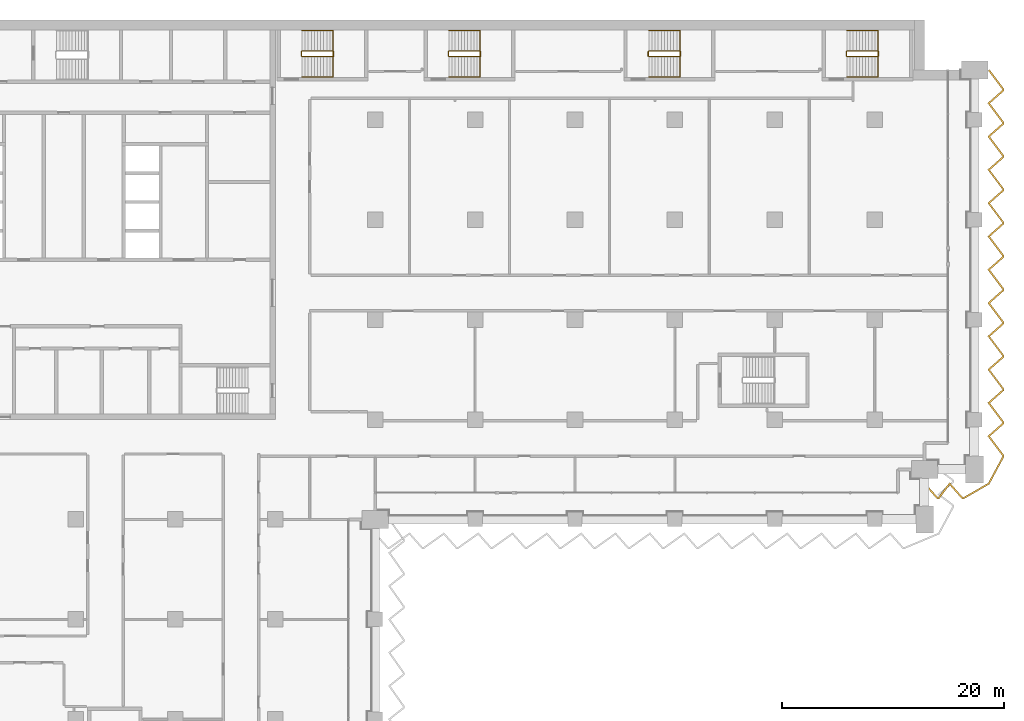
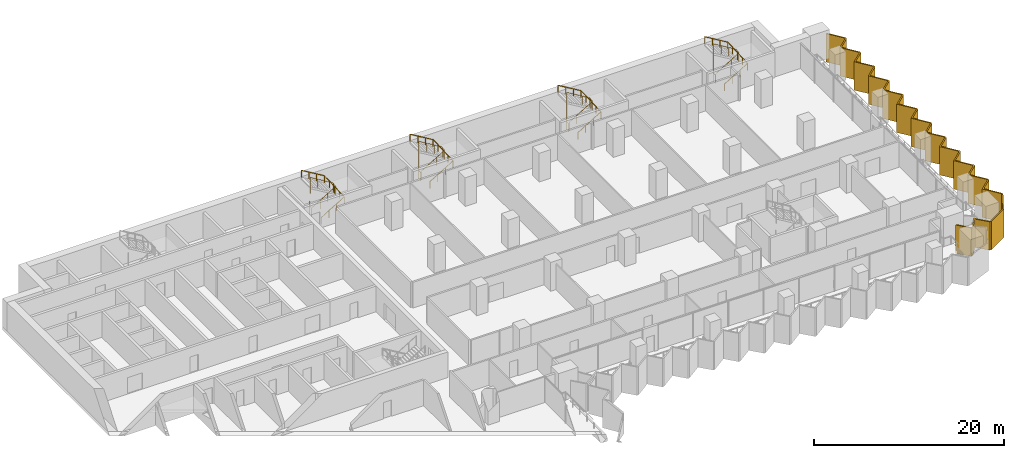
# One storey, part 28 of 29: 8 railings, 1 shading device.
"""IFC4 building model written with IfcOpenShell, lengths in metres."""

from ifc_helpers import new_model, si_unit, direction, frame, origin, origin_2d, place, context, subcontext, project, spatial, polyline, circle, outline, extrude, material, layer, layer_set, type_object, element, save


model = new_model("IFC4")

# Units and contexts
model_context = context("Model", 3, precision=1e-05, world=origin(), true_north=direction((0.0, 1.0)))
body_context = subcontext(model_context, "Body", "Model", "MODEL_VIEW")
ifc_project = project(units=[si_unit("LENGTHUNIT", "METRE"), si_unit("AREAUNIT", "SQUARE_METRE"), si_unit("VOLUMEUNIT", "CUBIC_METRE"), si_unit("PLANEANGLEUNIT", "RADIAN"), si_unit("MASSUNIT", "GRAM", prefix="KILO")], contexts=[model_context])

# Site, building, storey
site_placement = place(None, origin())
site = spatial("IfcSite", under=ifc_project, at=site_placement, CompositionType="ELEMENT")
building_placement = place(site_placement, origin())
building = spatial("IfcBuilding", under=site, at=building_placement, Name="Hunhe Ridgeline Campus", CompositionType="ELEMENT")
storey_placement = place(building_placement, frame((0.0, 0.0, 50.60009765625)))
storey = spatial("IfcBuildingStorey", under=building, at=storey_placement, Name="L11", CompositionType="ELEMENT", Elevation=50.60009765625)

# Shading device
ifc_material_1 = material(Name="Concrete C50", Category="concrete")
ifc_layer = layer(ifc_material_1, 0.14990234375)
ifc_layer_set = layer_set([ifc_layer], Name="Sawtooth concrete fin 150 Concrete C50")
shading_device_type = type_object("IfcShadingDeviceType", Name="Sawtooth concrete fin 150 Concrete C50", PredefinedType="USERDEFINED", material=ifc_layer_set)
shading_device_placement = place(storey_placement, frame((0.0, 0.0, -0.9501953125)))
element("IfcShadingDevice", 1, at=shading_device_placement, inside=storey, type_object=shading_device_type, Name="Concrete fin screen 3", ObjectType="FIN", PredefinedType="USERDEFINED", context=body_context, shape_type="SweptSolid", body=[
    extrude(outline(polyline([(94.55615234375, 57.274658203125), (94.44384765625, 57.17529296875), (95.61328125, 55.85009765625), (95.804443359375, 55.85009765625), (96.75439453125, 57.1064453125), (97.86328125, 55.85009765625), (98.037109375, 55.85009765625), (100.3310546875, 57.170654296875), (101.64990234375, 59.628173828125), (101.64990234375, 59.792236328125), (100.37646484375, 61.489501953125), (101.64990234375, 62.61328125), (101.64990234375, 62.792236328125), (100.37646484375, 64.489501953125), (101.64990234375, 65.61328125), (101.64990234375, 65.792236328125), (100.37646484375, 67.489501953125), (101.64990234375, 68.61328125), (101.64990234375, 68.792236328125), (100.37646484375, 70.489501953125), (101.64990234375, 71.61328125), (101.64990234375, 71.792236328125), (100.37646484375, 73.489501953125), (101.64990234375, 74.61328125), (101.64990234375, 74.792236328125), (100.37646484375, 76.489501953125), (101.64990234375, 77.61328125), (101.64990234375, 77.792236328125), (100.37646484375, 79.489501953125), (101.64990234375, 80.61328125), (101.64990234375, 80.792236328125), (100.37646484375, 82.489501953125), (101.64990234375, 83.61328125), (101.64990234375, 83.792236328125), (100.37646484375, 85.489501953125), (101.64990234375, 86.61328125), (101.64990234375, 86.792236328125), (100.37646484375, 88.489501953125), (101.64990234375, 89.61328125), (101.64990234375, 89.792236328125), (100.37646484375, 91.489501953125), (101.64990234375, 92.61328125), (101.64990234375, 92.792236328125), (100.3349609375, 94.544921875), (100.215087890625, 94.455078125), (101.5, 92.7421875), (101.5, 92.680908203125), (100.17333984375, 91.510498046875), (101.5, 89.7421875), (101.5, 89.680908203125), (100.17333984375, 88.510498046875), (101.5, 86.7421875), (101.5, 86.680908203125), (100.17333984375, 85.510498046875), (101.5, 83.7421875), (101.5, 83.680908203125), (100.17333984375, 82.510498046875), (101.5, 80.7421875), (101.5, 80.680908203125), (100.17333984375, 79.510498046875), (101.5, 77.7421875), (101.5, 77.680908203125), (100.17333984375, 76.510498046875), (101.5, 74.7421875), (101.5, 74.680908203125), (100.17333984375, 73.510498046875), (101.5, 71.7421875), (101.5, 71.680908203125), (100.17333984375, 70.510498046875), (101.5, 68.7421875), (101.5, 68.680908203125), (100.17333984375, 67.510498046875), (101.5, 65.7421875), (101.5, 65.680908203125), (100.17333984375, 64.510498046875), (101.5, 62.7421875), (101.5, 62.680908203125), (100.17333984375, 61.510498046875), (101.5, 59.7421875), (101.5, 59.666015625), (100.218994140625, 57.279296875), (97.9970703125, 56.0), (97.930908203125, 56.0), (96.74560546875, 57.343505859375), (95.729736328125, 56.0), (95.680908203125, 56.0), (94.55615234375, 57.274658203125)])), origin(), (0.0, 0.0, 1.0), 3.650146484375),
])

# Railings
ifc_material_2 = material(Name="Stainless steel balustrade", Category="steel")
railing_type_1 = type_object("IfcRailingType", Name="Stair guard 1100 stainless", PredefinedType="GUARDRAIL", material=ifc_material_2)
railing_1_placement = place(storey_placement, frame((38.39990234375, 95.699951171875, 0.16796875)))
element("IfcRailing", 2, at=railing_1_placement, inside=storey, type_object=railing_type_1, Name="L11 stair E1 guard", PredefinedType="GUARDRAIL", context=body_context, shape_type="SweptSolid", body=[
    extrude(circle(Radius=0.02392578125, at=origin_2d()), frame((0.0, 0.0, 1.076171875), z_axis=(0.857242210791, 0.0, 0.514913383045), x_axis=(0.0, 1.0, 0.0)), (0.0, 0.0, 1.0), 3.266357421875),
    extrude(circle(Radius=0.02392578125, at=origin_2d()), frame((2.800048828125, 0.0, 2.7578125), z_axis=(0.707106781187, 0.707106781187, 0.0), x_axis=(-0.707106781187, 0.707106781187, 0.0)), (0.0, 0.0, 1.0), 0.07080078125),
    extrude(circle(Radius=0.02392578125, at=origin_2d()), frame((2.85009765625, 0.050048828125, 2.7578125), z_axis=(0.0, 1.0, 0.0), x_axis=(-1.0, 0.0, 0.0)), (0.0, 0.0, 1.0), 0.39990234375),
    extrude(circle(Radius=0.02392578125, at=origin_2d()), frame((2.85009765625, 0.449951171875, 2.7578125), z_axis=(-0.274243871929, 0.274243871929, 0.92172696468), x_axis=(-0.707106781187, -0.707106781187, 0.0)), (0.0, 0.0, 1.0), 0.1826171875),
    extrude(circle(Radius=0.02392578125, at=origin_2d()), frame((2.800048828125, 0.5, 2.92626953125), z_axis=(-0.857242210791, 0.0, 0.514913383045), x_axis=(0.0, -1.0, 0.0)), (0.0, 0.0, 1.0), 3.266357421875),
    extrude(circle(Radius=0.02392578125, at=origin_2d()), frame((0.0, 0.5, 4.60791015625), z_axis=(-0.013458453615, -0.013524426427, -0.999817963389), x_axis=(0.708833529934, -0.705375805398, 0.0)), (0.0, 0.0, 1.0), 3.70068359375),
    extrude(circle(Radius=0.02392578125, at=origin_2d()), frame((-0.0498046875, 0.449951171875, 0.908203125), z_axis=(0.0, -1.0, 0.0), x_axis=(1.0, 0.0, 0.0)), (0.0, 0.0, 1.0), 0.39990234375),
    extrude(circle(Radius=0.02099609375, at=origin_2d()), origin(), (0.0, 0.0, 1.0), 1.052001953125),
    extrude(circle(Radius=0.02099609375, at=origin_2d()), frame((0.933349609375, 0.0, 0.560546875)), (0.0, 0.0, 1.0), 1.052001953125),
    extrude(circle(Radius=0.02099609375, at=origin_2d()), frame((1.86669921875, 0.0, 1.121337890625)), (0.0, 0.0, 1.0), 1.052001953125),
    extrude(circle(Radius=0.02099609375, at=origin_2d()), frame((2.800048828125, 0.0, 1.681884765625)), (0.0, 0.0, 1.0), 1.052001953125),
    extrude(circle(Radius=0.02099609375, at=origin_2d()), frame((2.85009765625, 0.050048828125, 1.681884765625)), (0.0, 0.0, 1.0), 1.052001953125),
    extrude(circle(Radius=0.02099609375, at=origin_2d()), frame((2.85009765625, 0.449951171875, 1.681884765625)), (0.0, 0.0, 1.0), 1.052001953125),
    extrude(circle(Radius=0.02099609375, at=origin_2d()), frame((2.800048828125, 0.5, 1.85009765625)), (0.0, 0.0, 1.0), 1.052001953125),
    extrude(circle(Radius=0.02099609375, at=origin_2d()), frame((1.86669921875, 0.5, 2.41064453125)), (0.0, 0.0, 1.0), 1.052001953125),
    extrude(circle(Radius=0.02099609375, at=origin_2d()), frame((0.933349609375, 0.5, 2.971435546875)), (0.0, 0.0, 1.0), 1.052001953125),
    extrude(circle(Radius=0.02099609375, at=origin_2d()), frame((0.0, 0.5, 3.531982421875)), (0.0, 0.0, 1.0), 1.052001953125),
    extrude(circle(Radius=0.02099609375, at=origin_2d()), frame((-0.012451171875, 0.487548828125, 2.60693359375)), (0.0, 0.0, 1.0), 1.052001953125),
    extrude(circle(Radius=0.02099609375, at=origin_2d()), frame((-0.02490234375, 0.47509765625, 1.68212890625)), (0.0, 0.0, 1.0), 1.052001953125),
    extrude(circle(Radius=0.02099609375, at=origin_2d()), frame((-0.037353515625, 0.46240234375, 0.757080078125)), (0.0, 0.0, 1.0), 1.052001953125),
    extrude(circle(Radius=0.02099609375, at=origin_2d()), frame((-0.0498046875, 0.449951171875, -0.16796875)), (0.0, 0.0, 1.0), 1.052001953125),
    extrude(circle(Radius=0.02099609375, at=origin_2d()), frame((-0.0498046875, 0.050048828125, -0.16796875)), (0.0, 0.0, 1.0), 1.052001953125),
])
railing_2_placement = place(storey_placement, frame((51.64990234375, 95.699951171875, 0.16796875)))
element("IfcRailing", 3, at=railing_2_placement, inside=storey, type_object=railing_type_1, Name="L11 stair E2 guard", PredefinedType="GUARDRAIL", context=body_context, shape_type="SweptSolid", body=[
    extrude(circle(Radius=0.02392578125, at=origin_2d()), frame((0.0, 0.0, 1.076171875), z_axis=(0.857242210791, 0.0, 0.514913383045), x_axis=(0.0, 1.0, 0.0)), (0.0, 0.0, 1.0), 3.266357421875),
    extrude(circle(Radius=0.02392578125, at=origin_2d()), frame((2.800048828125, 0.0, 2.7578125), z_axis=(0.707106781187, 0.707106781187, 0.0), x_axis=(-0.707106781187, 0.707106781187, 0.0)), (0.0, 0.0, 1.0), 0.07080078125),
    extrude(circle(Radius=0.02392578125, at=origin_2d()), frame((2.85009765625, 0.050048828125, 2.7578125), z_axis=(0.0, 1.0, 0.0), x_axis=(-1.0, 0.0, 0.0)), (0.0, 0.0, 1.0), 0.39990234375),
    extrude(circle(Radius=0.02392578125, at=origin_2d()), frame((2.85009765625, 0.449951171875, 2.7578125), z_axis=(-0.274243871929, 0.274243871929, 0.92172696468), x_axis=(-0.707106781187, -0.707106781187, 0.0)), (0.0, 0.0, 1.0), 0.1826171875),
    extrude(circle(Radius=0.02392578125, at=origin_2d()), frame((2.800048828125, 0.5, 2.92626953125), z_axis=(-0.857242210791, 0.0, 0.514913383045), x_axis=(0.0, -1.0, 0.0)), (0.0, 0.0, 1.0), 3.266357421875),
    extrude(circle(Radius=0.02392578125, at=origin_2d()), frame((0.0, 0.5, 4.60791015625), z_axis=(-0.013458453615, -0.013524426427, -0.999817963389), x_axis=(0.708833529934, -0.705375805398, 0.0)), (0.0, 0.0, 1.0), 3.70068359375),
    extrude(circle(Radius=0.02392578125, at=origin_2d()), frame((-0.0498046875, 0.449951171875, 0.908203125), z_axis=(0.0, -1.0, 0.0), x_axis=(1.0, 0.0, 0.0)), (0.0, 0.0, 1.0), 0.39990234375),
    extrude(circle(Radius=0.02099609375, at=origin_2d()), origin(), (0.0, 0.0, 1.0), 1.052001953125),
    extrude(circle(Radius=0.02099609375, at=origin_2d()), frame((0.933349609375, 0.0, 0.560546875)), (0.0, 0.0, 1.0), 1.052001953125),
    extrude(circle(Radius=0.02099609375, at=origin_2d()), frame((1.86669921875, 0.0, 1.121337890625)), (0.0, 0.0, 1.0), 1.052001953125),
    extrude(circle(Radius=0.02099609375, at=origin_2d()), frame((2.800048828125, 0.0, 1.681884765625)), (0.0, 0.0, 1.0), 1.052001953125),
    extrude(circle(Radius=0.02099609375, at=origin_2d()), frame((2.85009765625, 0.050048828125, 1.681884765625)), (0.0, 0.0, 1.0), 1.052001953125),
    extrude(circle(Radius=0.02099609375, at=origin_2d()), frame((2.85009765625, 0.449951171875, 1.681884765625)), (0.0, 0.0, 1.0), 1.052001953125),
    extrude(circle(Radius=0.02099609375, at=origin_2d()), frame((2.800048828125, 0.5, 1.85009765625)), (0.0, 0.0, 1.0), 1.052001953125),
    extrude(circle(Radius=0.02099609375, at=origin_2d()), frame((1.86669921875, 0.5, 2.41064453125)), (0.0, 0.0, 1.0), 1.052001953125),
    extrude(circle(Radius=0.02099609375, at=origin_2d()), frame((0.933349609375, 0.5, 2.971435546875)), (0.0, 0.0, 1.0), 1.052001953125),
    extrude(circle(Radius=0.02099609375, at=origin_2d()), frame((0.0, 0.5, 3.531982421875)), (0.0, 0.0, 1.0), 1.052001953125),
    extrude(circle(Radius=0.02099609375, at=origin_2d()), frame((-0.012451171875, 0.487548828125, 2.60693359375)), (0.0, 0.0, 1.0), 1.052001953125),
    extrude(circle(Radius=0.02099609375, at=origin_2d()), frame((-0.02490234375, 0.47509765625, 1.68212890625)), (0.0, 0.0, 1.0), 1.052001953125),
    extrude(circle(Radius=0.02099609375, at=origin_2d()), frame((-0.037353515625, 0.46240234375, 0.757080078125)), (0.0, 0.0, 1.0), 1.052001953125),
    extrude(circle(Radius=0.02099609375, at=origin_2d()), frame((-0.0498046875, 0.449951171875, -0.16796875)), (0.0, 0.0, 1.0), 1.052001953125),
    extrude(circle(Radius=0.02099609375, at=origin_2d()), frame((-0.0498046875, 0.050048828125, -0.16796875)), (0.0, 0.0, 1.0), 1.052001953125),
])
railing_3_placement = place(storey_placement, frame((69.64990234375, 95.699951171875, 0.16796875)))
element("IfcRailing", 4, at=railing_3_placement, inside=storey, type_object=railing_type_1, Name="L11 stair E3 guard", PredefinedType="GUARDRAIL", context=body_context, shape_type="SweptSolid", body=[
    extrude(circle(Radius=0.02392578125, at=origin_2d()), frame((0.0, 0.0, 1.076171875), z_axis=(0.857242210791, 0.0, 0.514913383045), x_axis=(0.0, 1.0, 0.0)), (0.0, 0.0, 1.0), 3.266357421875),
    extrude(circle(Radius=0.02392578125, at=origin_2d()), frame((2.800048828125, 0.0, 2.7578125), z_axis=(0.707106781187, 0.707106781187, 0.0), x_axis=(-0.707106781187, 0.707106781187, 0.0)), (0.0, 0.0, 1.0), 0.07080078125),
    extrude(circle(Radius=0.02392578125, at=origin_2d()), frame((2.85009765625, 0.050048828125, 2.7578125), z_axis=(0.0, 1.0, 0.0), x_axis=(-1.0, 0.0, 0.0)), (0.0, 0.0, 1.0), 0.39990234375),
    extrude(circle(Radius=0.02392578125, at=origin_2d()), frame((2.85009765625, 0.449951171875, 2.7578125), z_axis=(-0.274243871929, 0.274243871929, 0.92172696468), x_axis=(-0.707106781187, -0.707106781187, 0.0)), (0.0, 0.0, 1.0), 0.1826171875),
    extrude(circle(Radius=0.02392578125, at=origin_2d()), frame((2.800048828125, 0.5, 2.92626953125), z_axis=(-0.857242210791, 0.0, 0.514913383045), x_axis=(0.0, -1.0, 0.0)), (0.0, 0.0, 1.0), 3.266357421875),
    extrude(circle(Radius=0.02392578125, at=origin_2d()), frame((0.0, 0.5, 4.60791015625), z_axis=(-0.013458453615, -0.013524426427, -0.999817963389), x_axis=(0.708833529934, -0.705375805398, 0.0)), (0.0, 0.0, 1.0), 3.70068359375),
    extrude(circle(Radius=0.02392578125, at=origin_2d()), frame((-0.0498046875, 0.449951171875, 0.908203125), z_axis=(0.0, -1.0, 0.0), x_axis=(1.0, 0.0, 0.0)), (0.0, 0.0, 1.0), 0.39990234375),
    extrude(circle(Radius=0.02099609375, at=origin_2d()), origin(), (0.0, 0.0, 1.0), 1.052001953125),
    extrude(circle(Radius=0.02099609375, at=origin_2d()), frame((0.933349609375, 0.0, 0.560546875)), (0.0, 0.0, 1.0), 1.052001953125),
    extrude(circle(Radius=0.02099609375, at=origin_2d()), frame((1.86669921875, 0.0, 1.121337890625)), (0.0, 0.0, 1.0), 1.052001953125),
    extrude(circle(Radius=0.02099609375, at=origin_2d()), frame((2.800048828125, 0.0, 1.681884765625)), (0.0, 0.0, 1.0), 1.052001953125),
    extrude(circle(Radius=0.02099609375, at=origin_2d()), frame((2.85009765625, 0.050048828125, 1.681884765625)), (0.0, 0.0, 1.0), 1.052001953125),
    extrude(circle(Radius=0.02099609375, at=origin_2d()), frame((2.85009765625, 0.449951171875, 1.681884765625)), (0.0, 0.0, 1.0), 1.052001953125),
    extrude(circle(Radius=0.02099609375, at=origin_2d()), frame((2.800048828125, 0.5, 1.85009765625)), (0.0, 0.0, 1.0), 1.052001953125),
    extrude(circle(Radius=0.02099609375, at=origin_2d()), frame((1.86669921875, 0.5, 2.41064453125)), (0.0, 0.0, 1.0), 1.052001953125),
    extrude(circle(Radius=0.02099609375, at=origin_2d()), frame((0.933349609375, 0.5, 2.971435546875)), (0.0, 0.0, 1.0), 1.052001953125),
    extrude(circle(Radius=0.02099609375, at=origin_2d()), frame((0.0, 0.5, 3.531982421875)), (0.0, 0.0, 1.0), 1.052001953125),
    extrude(circle(Radius=0.02099609375, at=origin_2d()), frame((-0.012451171875, 0.487548828125, 2.60693359375)), (0.0, 0.0, 1.0), 1.052001953125),
    extrude(circle(Radius=0.02099609375, at=origin_2d()), frame((-0.02490234375, 0.47509765625, 1.68212890625)), (0.0, 0.0, 1.0), 1.052001953125),
    extrude(circle(Radius=0.02099609375, at=origin_2d()), frame((-0.037353515625, 0.46240234375, 0.757080078125)), (0.0, 0.0, 1.0), 1.052001953125),
    extrude(circle(Radius=0.02099609375, at=origin_2d()), frame((-0.0498046875, 0.449951171875, -0.16796875)), (0.0, 0.0, 1.0), 1.052001953125),
    extrude(circle(Radius=0.02099609375, at=origin_2d()), frame((-0.0498046875, 0.050048828125, -0.16796875)), (0.0, 0.0, 1.0), 1.052001953125),
])
railing_4_placement = place(storey_placement, frame((87.5, 95.699951171875, 0.16796875)))
element("IfcRailing", 5, at=railing_4_placement, inside=storey, type_object=railing_type_1, Name="L11 stair E4 guard", PredefinedType="GUARDRAIL", context=body_context, shape_type="SweptSolid", body=[
    extrude(circle(Radius=0.02392578125, at=origin_2d()), frame((0.0, 0.0, 1.076171875), z_axis=(0.857242210791, 0.0, 0.514913383045), x_axis=(0.0, 1.0, 0.0)), (0.0, 0.0, 1.0), 3.266357421875),
    extrude(circle(Radius=0.02392578125, at=origin_2d()), frame((2.800048828125, 0.0, 2.7578125), z_axis=(0.707106781187, 0.707106781187, 0.0), x_axis=(-0.707106781187, 0.707106781187, 0.0)), (0.0, 0.0, 1.0), 0.07080078125),
    extrude(circle(Radius=0.02392578125, at=origin_2d()), frame((2.85009765625, 0.050048828125, 2.7578125), z_axis=(0.0, 1.0, 0.0), x_axis=(-1.0, 0.0, 0.0)), (0.0, 0.0, 1.0), 0.39990234375),
    extrude(circle(Radius=0.02392578125, at=origin_2d()), frame((2.85009765625, 0.449951171875, 2.7578125), z_axis=(-0.274243871929, 0.274243871929, 0.92172696468), x_axis=(-0.707106781187, -0.707106781187, 0.0)), (0.0, 0.0, 1.0), 0.1826171875),
    extrude(circle(Radius=0.02392578125, at=origin_2d()), frame((2.800048828125, 0.5, 2.92626953125), z_axis=(-0.857242210791, 0.0, 0.514913383045), x_axis=(0.0, -1.0, 0.0)), (0.0, 0.0, 1.0), 3.266357421875),
    extrude(circle(Radius=0.02392578125, at=origin_2d()), frame((0.0, 0.5, 4.60791015625), z_axis=(-0.013524414389, -0.013524414389, -0.999817073484), x_axis=(0.707106781187, -0.707106781187, 0.0)), (0.0, 0.0, 1.0), 3.70068359375),
    extrude(circle(Radius=0.02392578125, at=origin_2d()), frame((-0.050048828125, 0.449951171875, 0.908203125), z_axis=(0.0, -1.0, 0.0), x_axis=(1.0, 0.0, 0.0)), (0.0, 0.0, 1.0), 0.39990234375),
    extrude(circle(Radius=0.02099609375, at=origin_2d()), origin(), (0.0, 0.0, 1.0), 1.052001953125),
    extrude(circle(Radius=0.02099609375, at=origin_2d()), frame((0.933349609375, 0.0, 0.560546875)), (0.0, 0.0, 1.0), 1.052001953125),
    extrude(circle(Radius=0.02099609375, at=origin_2d()), frame((1.86669921875, 0.0, 1.121337890625)), (0.0, 0.0, 1.0), 1.052001953125),
    extrude(circle(Radius=0.02099609375, at=origin_2d()), frame((2.800048828125, 0.0, 1.681884765625)), (0.0, 0.0, 1.0), 1.052001953125),
    extrude(circle(Radius=0.02099609375, at=origin_2d()), frame((2.85009765625, 0.050048828125, 1.681884765625)), (0.0, 0.0, 1.0), 1.052001953125),
    extrude(circle(Radius=0.02099609375, at=origin_2d()), frame((2.85009765625, 0.449951171875, 1.681884765625)), (0.0, 0.0, 1.0), 1.052001953125),
    extrude(circle(Radius=0.02099609375, at=origin_2d()), frame((2.800048828125, 0.5, 1.85009765625)), (0.0, 0.0, 1.0), 1.052001953125),
    extrude(circle(Radius=0.02099609375, at=origin_2d()), frame((1.86669921875, 0.5, 2.41064453125)), (0.0, 0.0, 1.0), 1.052001953125),
    extrude(circle(Radius=0.02099609375, at=origin_2d()), frame((0.933349609375, 0.5, 2.971435546875)), (0.0, 0.0, 1.0), 1.052001953125),
    extrude(circle(Radius=0.02099609375, at=origin_2d()), frame((0.0, 0.5, 3.531982421875)), (0.0, 0.0, 1.0), 1.052001953125),
    extrude(circle(Radius=0.02099609375, at=origin_2d()), frame((-0.012451171875, 0.487548828125, 2.60693359375)), (0.0, 0.0, 1.0), 1.052001953125),
    extrude(circle(Radius=0.02099609375, at=origin_2d()), frame((-0.02490234375, 0.47509765625, 1.68212890625)), (0.0, 0.0, 1.0), 1.052001953125),
    extrude(circle(Radius=0.02099609375, at=origin_2d()), frame((-0.03759765625, 0.46240234375, 0.757080078125)), (0.0, 0.0, 1.0), 1.052001953125),
    extrude(circle(Radius=0.02099609375, at=origin_2d()), frame((-0.050048828125, 0.449951171875, -0.16796875)), (0.0, 0.0, 1.0), 1.052001953125),
    extrude(circle(Radius=0.02099609375, at=origin_2d()), frame((-0.050048828125, 0.050048828125, -0.16796875)), (0.0, 0.0, 1.0), 1.052001953125),
])
ifc_material_3 = material(Name="Stainless steel handrail", Category="steel")
railing_type_2 = type_object("IfcRailingType", Name="Stair handrail 900 stainless", PredefinedType="HANDRAIL", material=ifc_material_3)
railing_5_placement = place(storey_placement, frame((38.39990234375, 93.85009765625, 0.16796875)))
element("IfcRailing", 6, at=railing_5_placement, inside=storey, type_object=railing_type_2, Name="L11 stair E1 handrail", PredefinedType="HANDRAIL", context=body_context, shape_type="SweptSolid", body=[
    extrude(circle(Radius=0.02392578125, at=origin_2d()), frame((0.0, 0.0, 0.8759765625), z_axis=(0.857242210791, 0.0, 0.514913383045), x_axis=(0.0, 1.0, 0.0)), (0.0, 0.0, 1.0), 3.266357421875),
    extrude(circle(Radius=0.02392578125, at=origin_2d()), frame((2.800048828125, 0.0, 2.5576171875), z_axis=(0.0, 0.999198916169, 0.040019069537), x_axis=(-1.0, 0.0, 0.0)), (0.0, 0.0, 1.0), 4.203369140625),
    extrude(circle(Radius=0.02392578125, at=origin_2d()), frame((2.800048828125, 4.199951171875, 2.72607421875), z_axis=(-0.857242210791, 0.0, 0.514913383045), x_axis=(0.0, -1.0, 0.0)), (0.0, 0.0, 1.0), 3.266357421875),
    extrude(circle(Radius=0.02099609375, at=origin_2d()), origin(), (0.0, 0.0, 1.0), 0.851806640625),
    extrude(circle(Radius=0.02099609375, at=origin_2d()), frame((0.933349609375, 0.0, 0.560546875)), (0.0, 0.0, 1.0), 0.851806640625),
    extrude(circle(Radius=0.02099609375, at=origin_2d()), frame((1.86669921875, 0.0, 1.121337890625)), (0.0, 0.0, 1.0), 0.851806640625),
    extrude(circle(Radius=0.02099609375, at=origin_2d()), frame((2.800048828125, 0.0, 1.681884765625)), (0.0, 0.0, 1.0), 0.851806640625),
    extrude(circle(Radius=0.02099609375, at=origin_2d()), frame((2.800048828125, 1.050048828125, 1.723876953125)), (0.0, 0.0, 1.0), 0.851806640625),
    extrude(circle(Radius=0.02099609375, at=origin_2d()), frame((2.800048828125, 2.10009765625, 1.76611328125)), (0.0, 0.0, 1.0), 0.851806640625),
    extrude(circle(Radius=0.02099609375, at=origin_2d()), frame((2.800048828125, 3.14990234375, 1.80810546875)), (0.0, 0.0, 1.0), 0.851806640625),
    extrude(circle(Radius=0.02099609375, at=origin_2d()), frame((2.800048828125, 4.199951171875, 1.85009765625)), (0.0, 0.0, 1.0), 0.851806640625),
    extrude(circle(Radius=0.02099609375, at=origin_2d()), frame((1.86669921875, 4.199951171875, 2.41064453125)), (0.0, 0.0, 1.0), 0.851806640625),
    extrude(circle(Radius=0.02099609375, at=origin_2d()), frame((0.933349609375, 4.199951171875, 2.971435546875)), (0.0, 0.0, 1.0), 0.851806640625),
    extrude(circle(Radius=0.02099609375, at=origin_2d()), frame((0.0, 4.199951171875, 3.531982421875)), (0.0, 0.0, 1.0), 0.851806640625),
])
railing_6_placement = place(storey_placement, frame((51.64990234375, 93.85009765625, 0.16796875)))
element("IfcRailing", 7, at=railing_6_placement, inside=storey, type_object=railing_type_2, Name="L11 stair E2 handrail", PredefinedType="HANDRAIL", context=body_context, shape_type="SweptSolid", body=[
    extrude(circle(Radius=0.02392578125, at=origin_2d()), frame((0.0, 0.0, 0.8759765625), z_axis=(0.857242210791, 0.0, 0.514913383045), x_axis=(0.0, 1.0, 0.0)), (0.0, 0.0, 1.0), 3.266357421875),
    extrude(circle(Radius=0.02392578125, at=origin_2d()), frame((2.800048828125, 0.0, 2.5576171875), z_axis=(0.0, 0.999198916169, 0.040019069537), x_axis=(-1.0, 0.0, 0.0)), (0.0, 0.0, 1.0), 4.203369140625),
    extrude(circle(Radius=0.02392578125, at=origin_2d()), frame((2.800048828125, 4.199951171875, 2.72607421875), z_axis=(-0.857242210791, 0.0, 0.514913383045), x_axis=(0.0, -1.0, 0.0)), (0.0, 0.0, 1.0), 3.266357421875),
    extrude(circle(Radius=0.02099609375, at=origin_2d()), origin(), (0.0, 0.0, 1.0), 0.851806640625),
    extrude(circle(Radius=0.02099609375, at=origin_2d()), frame((0.933349609375, 0.0, 0.560546875)), (0.0, 0.0, 1.0), 0.851806640625),
    extrude(circle(Radius=0.02099609375, at=origin_2d()), frame((1.86669921875, 0.0, 1.121337890625)), (0.0, 0.0, 1.0), 0.851806640625),
    extrude(circle(Radius=0.02099609375, at=origin_2d()), frame((2.800048828125, 0.0, 1.681884765625)), (0.0, 0.0, 1.0), 0.851806640625),
    extrude(circle(Radius=0.02099609375, at=origin_2d()), frame((2.800048828125, 1.050048828125, 1.723876953125)), (0.0, 0.0, 1.0), 0.851806640625),
    extrude(circle(Radius=0.02099609375, at=origin_2d()), frame((2.800048828125, 2.10009765625, 1.76611328125)), (0.0, 0.0, 1.0), 0.851806640625),
    extrude(circle(Radius=0.02099609375, at=origin_2d()), frame((2.800048828125, 3.14990234375, 1.80810546875)), (0.0, 0.0, 1.0), 0.851806640625),
    extrude(circle(Radius=0.02099609375, at=origin_2d()), frame((2.800048828125, 4.199951171875, 1.85009765625)), (0.0, 0.0, 1.0), 0.851806640625),
    extrude(circle(Radius=0.02099609375, at=origin_2d()), frame((1.86669921875, 4.199951171875, 2.41064453125)), (0.0, 0.0, 1.0), 0.851806640625),
    extrude(circle(Radius=0.02099609375, at=origin_2d()), frame((0.933349609375, 4.199951171875, 2.971435546875)), (0.0, 0.0, 1.0), 0.851806640625),
    extrude(circle(Radius=0.02099609375, at=origin_2d()), frame((0.0, 4.199951171875, 3.531982421875)), (0.0, 0.0, 1.0), 0.851806640625),
])
railing_7_placement = place(storey_placement, frame((69.64990234375, 93.85009765625, 0.16796875)))
element("IfcRailing", 8, at=railing_7_placement, inside=storey, type_object=railing_type_2, Name="L11 stair E3 handrail", PredefinedType="HANDRAIL", context=body_context, shape_type="SweptSolid", body=[
    extrude(circle(Radius=0.02392578125, at=origin_2d()), frame((0.0, 0.0, 0.8759765625), z_axis=(0.857242210791, 0.0, 0.514913383045), x_axis=(0.0, 1.0, 0.0)), (0.0, 0.0, 1.0), 3.266357421875),
    extrude(circle(Radius=0.02392578125, at=origin_2d()), frame((2.800048828125, 0.0, 2.5576171875), z_axis=(0.0, 0.999198916169, 0.040019069537), x_axis=(-1.0, 0.0, 0.0)), (0.0, 0.0, 1.0), 4.203369140625),
    extrude(circle(Radius=0.02392578125, at=origin_2d()), frame((2.800048828125, 4.199951171875, 2.72607421875), z_axis=(-0.857242210791, 0.0, 0.514913383045), x_axis=(0.0, -1.0, 0.0)), (0.0, 0.0, 1.0), 3.266357421875),
    extrude(circle(Radius=0.02099609375, at=origin_2d()), origin(), (0.0, 0.0, 1.0), 0.851806640625),
    extrude(circle(Radius=0.02099609375, at=origin_2d()), frame((0.933349609375, 0.0, 0.560546875)), (0.0, 0.0, 1.0), 0.851806640625),
    extrude(circle(Radius=0.02099609375, at=origin_2d()), frame((1.86669921875, 0.0, 1.121337890625)), (0.0, 0.0, 1.0), 0.851806640625),
    extrude(circle(Radius=0.02099609375, at=origin_2d()), frame((2.800048828125, 0.0, 1.681884765625)), (0.0, 0.0, 1.0), 0.851806640625),
    extrude(circle(Radius=0.02099609375, at=origin_2d()), frame((2.800048828125, 1.050048828125, 1.723876953125)), (0.0, 0.0, 1.0), 0.851806640625),
    extrude(circle(Radius=0.02099609375, at=origin_2d()), frame((2.800048828125, 2.10009765625, 1.76611328125)), (0.0, 0.0, 1.0), 0.851806640625),
    extrude(circle(Radius=0.02099609375, at=origin_2d()), frame((2.800048828125, 3.14990234375, 1.80810546875)), (0.0, 0.0, 1.0), 0.851806640625),
    extrude(circle(Radius=0.02099609375, at=origin_2d()), frame((2.800048828125, 4.199951171875, 1.85009765625)), (0.0, 0.0, 1.0), 0.851806640625),
    extrude(circle(Radius=0.02099609375, at=origin_2d()), frame((1.86669921875, 4.199951171875, 2.41064453125)), (0.0, 0.0, 1.0), 0.851806640625),
    extrude(circle(Radius=0.02099609375, at=origin_2d()), frame((0.933349609375, 4.199951171875, 2.971435546875)), (0.0, 0.0, 1.0), 0.851806640625),
    extrude(circle(Radius=0.02099609375, at=origin_2d()), frame((0.0, 4.199951171875, 3.531982421875)), (0.0, 0.0, 1.0), 0.851806640625),
])
railing_8_placement = place(storey_placement, frame((87.5, 93.85009765625, 0.16796875)))
element("IfcRailing", 9, at=railing_8_placement, inside=storey, type_object=railing_type_2, Name="L11 stair E4 handrail", PredefinedType="HANDRAIL", context=body_context, shape_type="SweptSolid", body=[
    extrude(circle(Radius=0.02392578125, at=origin_2d()), frame((0.0, 0.0, 0.8759765625), z_axis=(0.857242210791, 0.0, 0.514913383045), x_axis=(0.0, 1.0, 0.0)), (0.0, 0.0, 1.0), 3.266357421875),
    extrude(circle(Radius=0.02392578125, at=origin_2d()), frame((2.800048828125, 0.0, 2.5576171875), z_axis=(0.0, 0.999198916169, 0.040019069537), x_axis=(-1.0, 0.0, 0.0)), (0.0, 0.0, 1.0), 4.203369140625),
    extrude(circle(Radius=0.02392578125, at=origin_2d()), frame((2.800048828125, 4.199951171875, 2.72607421875), z_axis=(-0.857242210791, 0.0, 0.514913383045), x_axis=(0.0, -1.0, 0.0)), (0.0, 0.0, 1.0), 3.266357421875),
    extrude(circle(Radius=0.02099609375, at=origin_2d()), origin(), (0.0, 0.0, 1.0), 0.851806640625),
    extrude(circle(Radius=0.02099609375, at=origin_2d()), frame((0.933349609375, 0.0, 0.560546875)), (0.0, 0.0, 1.0), 0.851806640625),
    extrude(circle(Radius=0.02099609375, at=origin_2d()), frame((1.86669921875, 0.0, 1.121337890625)), (0.0, 0.0, 1.0), 0.851806640625),
    extrude(circle(Radius=0.02099609375, at=origin_2d()), frame((2.800048828125, 0.0, 1.681884765625)), (0.0, 0.0, 1.0), 0.851806640625),
    extrude(circle(Radius=0.02099609375, at=origin_2d()), frame((2.800048828125, 1.050048828125, 1.723876953125)), (0.0, 0.0, 1.0), 0.851806640625),
    extrude(circle(Radius=0.02099609375, at=origin_2d()), frame((2.800048828125, 2.10009765625, 1.76611328125)), (0.0, 0.0, 1.0), 0.851806640625),
    extrude(circle(Radius=0.02099609375, at=origin_2d()), frame((2.800048828125, 3.14990234375, 1.80810546875)), (0.0, 0.0, 1.0), 0.851806640625),
    extrude(circle(Radius=0.02099609375, at=origin_2d()), frame((2.800048828125, 4.199951171875, 1.85009765625)), (0.0, 0.0, 1.0), 0.851806640625),
    extrude(circle(Radius=0.02099609375, at=origin_2d()), frame((1.86669921875, 4.199951171875, 2.41064453125)), (0.0, 0.0, 1.0), 0.851806640625),
    extrude(circle(Radius=0.02099609375, at=origin_2d()), frame((0.933349609375, 4.199951171875, 2.971435546875)), (0.0, 0.0, 1.0), 0.851806640625),
    extrude(circle(Radius=0.02099609375, at=origin_2d()), frame((0.0, 4.199951171875, 3.531982421875)), (0.0, 0.0, 1.0), 0.851806640625),
])

save(model, "model.ifc")
